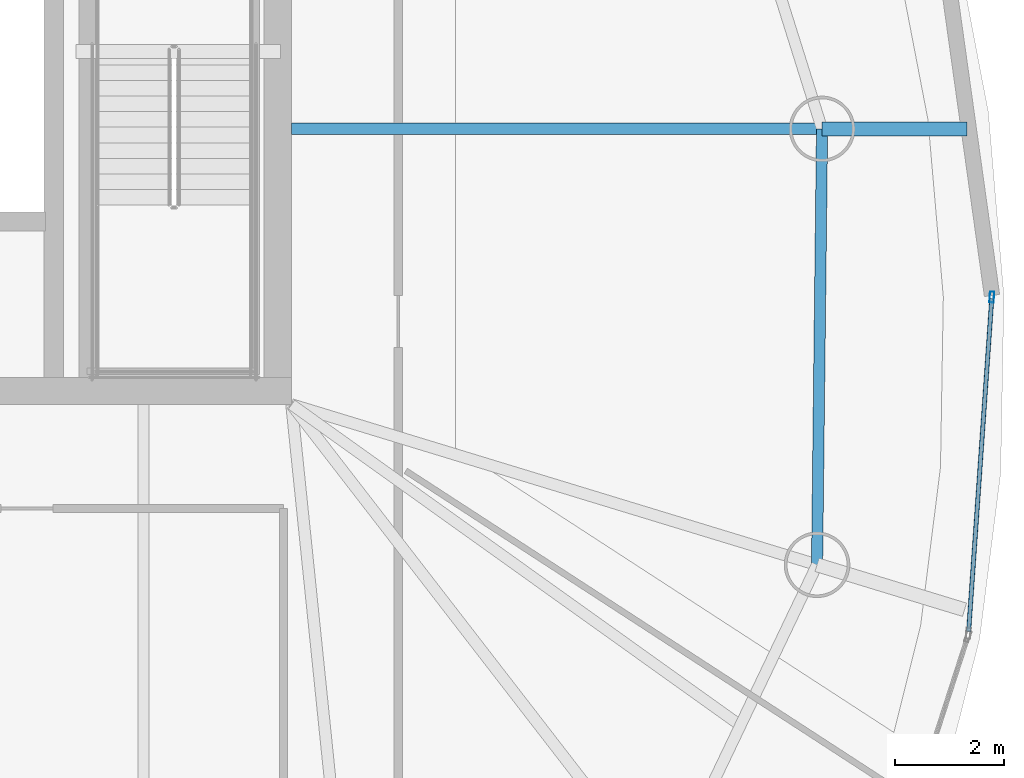
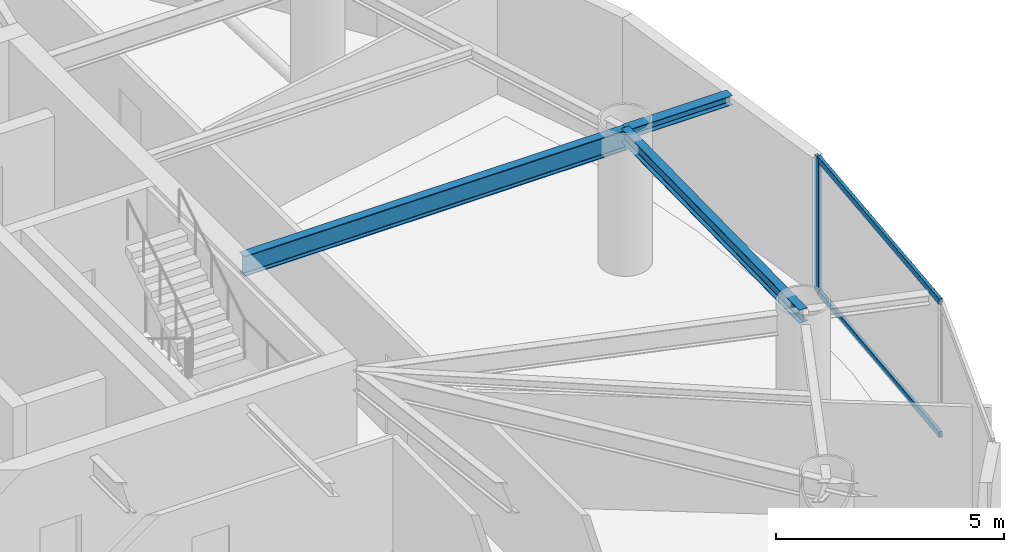
# One storey, part 9 of 22: 3 beams, 3 members, 1 element without a shape of its own.
"""IFC4 building model written with IfcOpenShell, lengths in metres."""

from ifc_helpers import new_model, si_unit, direction, frame, origin, origin_2d, place, context, subcontext, project, spatial, hollow_rectangle, i_section, extrude, material, layer, layer_set, material_profile, profile_set, type_object, element, aggregate, save


model = new_model("IFC4")

# Units and contexts
model_context = context("Model", 3, precision=1e-05, world=origin(), true_north=direction((0.0, 1.0)))
body_context = subcontext(model_context, "Body", "Model", "MODEL_VIEW")
ifc_project = project(units=[si_unit("LENGTHUNIT", "METRE"), si_unit("AREAUNIT", "SQUARE_METRE"), si_unit("VOLUMEUNIT", "CUBIC_METRE"), si_unit("PLANEANGLEUNIT", "RADIAN"), si_unit("MASSUNIT", "GRAM", prefix="KILO")], contexts=[model_context])

# Site, building, storey
site_placement = place(None, origin())
site = spatial("IfcSite", under=ifc_project, at=site_placement, CompositionType="ELEMENT")
building_placement = place(site_placement, origin())
building = spatial("IfcBuilding", under=site, at=building_placement, Name="Bramvorn Convention Spire", CompositionType="ELEMENT")
storey_placement = place(building_placement, frame((0.0, 0.0, 221.25)))
storey = spatial("IfcBuildingStorey", under=building, at=storey_placement, Name="L56", CompositionType="ELEMENT", Elevation=221.25)

# Beams
ifc_material_1 = material(Name="Steel CSA G40.21 Grade 350 (350W)", Category="steel")
ifc_material_profile_1 = material_profile(ifc_material_1, i_section(OverallWidth=0.25390625, OverallDepth=0.2529296875, WebThickness=0.008544921875, FlangeThickness=0.01416015625, FilletRadius=0.011962890625, at=origin_2d()))
ifc_profile_set_1 = profile_set([ifc_material_profile_1], Name="Steel CSA G40.21 Grade 350 (350W) - W250X73")
beam_type_1 = type_object("IfcBeamType", Name="BM-W250X73", PredefinedType="BEAM", material=ifc_profile_set_1)
beam_1_placement = place(storey_placement, frame((58.95458984375, 23.593505859375, 3.493408203125), z_axis=(1.0, 0.0, 0.0), x_axis=(0.0, 1.0, 0.0)))
element("IfcBeam", 1, at=beam_1_placement, inside=storey, type_object=beam_type_1, Name="L56 slab-edge cantilever tip beam MC03", PredefinedType="BEAM", context=body_context, shape_type="SweptSolid", body=[
    extrude(i_section(OverallWidth=0.25390625, OverallDepth=0.2529296875, WebThickness=0.008544921875, FlangeThickness=0.01416015625, FilletRadius=0.011962890625, at=origin_2d()), origin(), (0.0, 0.0, 1.0), 2.651611328125),
])
ifc_material_profile_2 = material_profile(ifc_material_1, i_section(OverallWidth=0.205078125, OverallDepth=0.35400390625, WebThickness=0.009521484375, FlangeThickness=0.016845703125, FilletRadius=0.014892578125, at=origin_2d()))
ifc_profile_set_2 = profile_set([ifc_material_profile_2], Name="Steel CSA G40.21 Grade 350 (350W) - W360X79")
beam_type_2 = type_object("IfcBeamType", Name="BM-W360X79", PredefinedType="JOIST", material=ifc_profile_set_2)
beam_2_placement = place(storey_placement, frame((58.863037109375, 15.619384765625, 3.443115234375), z_axis=(0.011480475367, 0.999934097171, 0.0), x_axis=(-0.999934097171, 0.011480475367, 0.0)))
element("IfcBeam", 2, at=beam_2_placement, inside=storey, type_object=beam_type_2, Name="L56 mega-column ring beam 02", PredefinedType="JOIST", context=body_context, shape_type="SweptSolid", body=[
    extrude(i_section(OverallWidth=0.205078125, OverallDepth=0.35400390625, WebThickness=0.009521484375, FlangeThickness=0.016845703125, FilletRadius=0.014892578125, at=origin_2d()), origin(), (0.0, 0.0, 1.0), 7.974609375),
])
ifc_material_profile_3 = material_profile(ifc_material_1, i_section(OverallWidth=0.2119140625, OverallDepth=0.5439453125, WebThickness=0.01318359375, FlangeThickness=0.021240234375, FilletRadius=0.01904296875, at=origin_2d()))
ifc_profile_set_3 = profile_set([ifc_material_profile_3], Name="Steel CSA G40.21 Grade 350 (350W) - W530X123")
beam_type_3 = type_object("IfcBeamType", Name="BM-W530X123", PredefinedType="BEAM", material=ifc_profile_set_3)
beam_3_placement = place(storey_placement, frame((49.25, 23.593505859375, 3.347900390625), z_axis=(1.0, 0.0, 0.0), x_axis=(0.0, 1.0, 0.0)))
element("IfcBeam", 3, at=beam_3_placement, inside=storey, type_object=beam_type_3, Name="L56 radial floor girder MC03", PredefinedType="BEAM", context=body_context, shape_type="SweptSolid", body=[
    extrude(i_section(OverallWidth=0.2119140625, OverallDepth=0.5439453125, WebThickness=0.01318359375, FlangeThickness=0.021240234375, FilletRadius=0.01904296875, at=origin_2d()), origin(), (0.0, 0.0, 1.0), 9.70458984375),
])

# Curtain wall, members
ifc_material_2 = material(Name="Anodised Bronze Unitised Curtain Wall", Category="aluminium")
ifc_layer = layer(ifc_material_2, 0.179931640625)
ifc_layer_set = layer_set([ifc_layer], Name="Anodised Bronze Unitised Curtain Wall - CW-OFF-FRIT")
curtain_wall_type = type_object("IfcCurtainWallType", Name="CW-OFF-FRIT", PredefinedType="USERDEFINED", material=ifc_layer_set)
curtain_wall_placement = place(storey_placement, origin())
curtain_wall = element("IfcCurtainWall", 4, at=curtain_wall_placement, inside=storey, type_object=curtain_wall_type, Name="L56 fritted glass curtain wall 03", ObjectType="UNITISED CURTAIN WALL", PredefinedType="USERDEFINED")
ifc_material_3 = material(Name="Anodised Bronze Aluminium 6063-T6", Category="aluminium")
ifc_material_profile_4 = material_profile(ifc_material_3, hollow_rectangle(XDim=0.080078125, YDim=0.199951171875, WallThickness=0.00390625, InnerFilletRadius=0.0009765625, OuterFilletRadius=0.00390625, at=origin_2d()))
ifc_profile_set_4 = profile_set([ifc_material_profile_4], Name="Anodised Bronze Aluminium 6063-T6 - CWM80X200")
member_type_1 = type_object("IfcMemberType", Name="CW-MUL-180", PredefinedType="MULLION", material=ifc_profile_set_4)
member_1_placement = place(storey_placement, frame((62.0615234375, 20.5166015625, 0.0), z_axis=(0.0, 0.0, 1.0), x_axis=(0.99758898077, -0.06939903058, 0.0)))
member_1 = element("IfcMember", 5, at=member_1_placement, type_object=member_type_1, Name="CW3 mullion 1", PredefinedType="MULLION", context=body_context, shape_type="SweptSolid", body=[
    extrude(hollow_rectangle(XDim=0.080078125, YDim=0.199951171875, WallThickness=0.00390625, InnerFilletRadius=0.0009765625, OuterFilletRadius=0.00390625, at=origin_2d()), origin(), (0.0, 0.0, 1.0), 3.6201171875),
])
ifc_material_profile_5 = material_profile(ifc_material_3, hollow_rectangle(XDim=0.080078125, YDim=0.159912109375, WallThickness=0.00390625, InnerFilletRadius=0.0009765625, OuterFilletRadius=0.00390625, at=origin_2d()))
ifc_profile_set_5 = profile_set([ifc_material_profile_5], Name="Anodised Bronze Aluminium 6063-T6 - CWT80X160")
member_type_2 = type_object("IfcMemberType", Name="CW-TRN-150", PredefinedType="USERDEFINED", material=ifc_profile_set_5)
member_2_placement = place(storey_placement, frame((62.059326171875, 20.48681640625, 0.030029296875), z_axis=(-0.069368784078, -0.997591084461, 0.0), x_axis=(0.997591084461, -0.069368784078, 0.0)))
member_2 = element("IfcMember", 6, at=member_2_placement, type_object=member_type_2, Name="CW3 transom 1.1", ObjectType="TRANSOM", PredefinedType="USERDEFINED", context=body_context, shape_type="SweptSolid", body=[
    extrude(hollow_rectangle(XDim=0.080078125, YDim=0.159912109375, WallThickness=0.00390625, InnerFilletRadius=0.0009765625, OuterFilletRadius=0.00390625, at=origin_2d()), origin(), (0.0, 0.0, 1.0), 6.106201171875),
])
member_3_placement = place(storey_placement, frame((62.059326171875, 20.48681640625, 3.590087890625), z_axis=(-0.069368784078, -0.997591084461, 0.0), x_axis=(0.997591084461, -0.069368784078, 0.0)))
member_3 = element("IfcMember", 7, at=member_3_placement, type_object=member_type_2, Name="CW3 transom 1.2", ObjectType="TRANSOM", PredefinedType="USERDEFINED", context=body_context, shape_type="SweptSolid", body=[
    extrude(hollow_rectangle(XDim=0.080078125, YDim=0.159912109375, WallThickness=0.00390625, InnerFilletRadius=0.0009765625, OuterFilletRadius=0.00390625, at=origin_2d()), origin(), (0.0, 0.0, 1.0), 6.106201171875),
])
aggregate(curtain_wall, [member_1, member_2, member_3])

save(model, "model.ifc")
